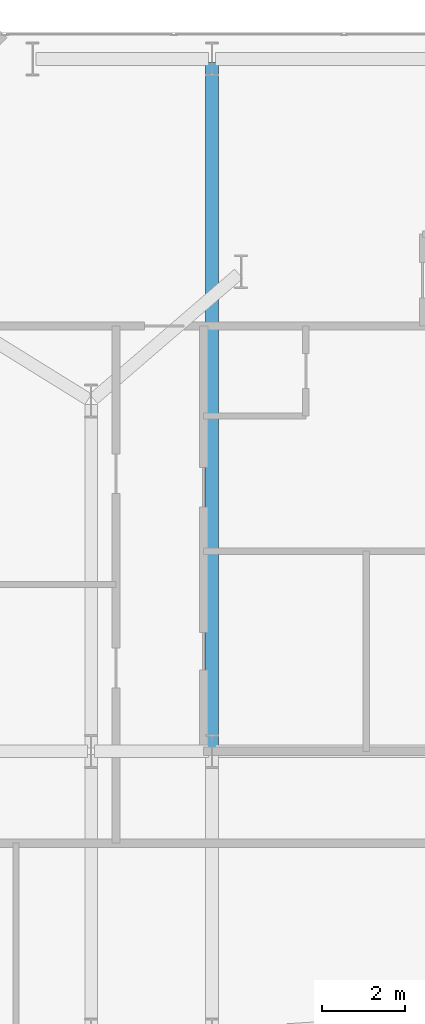
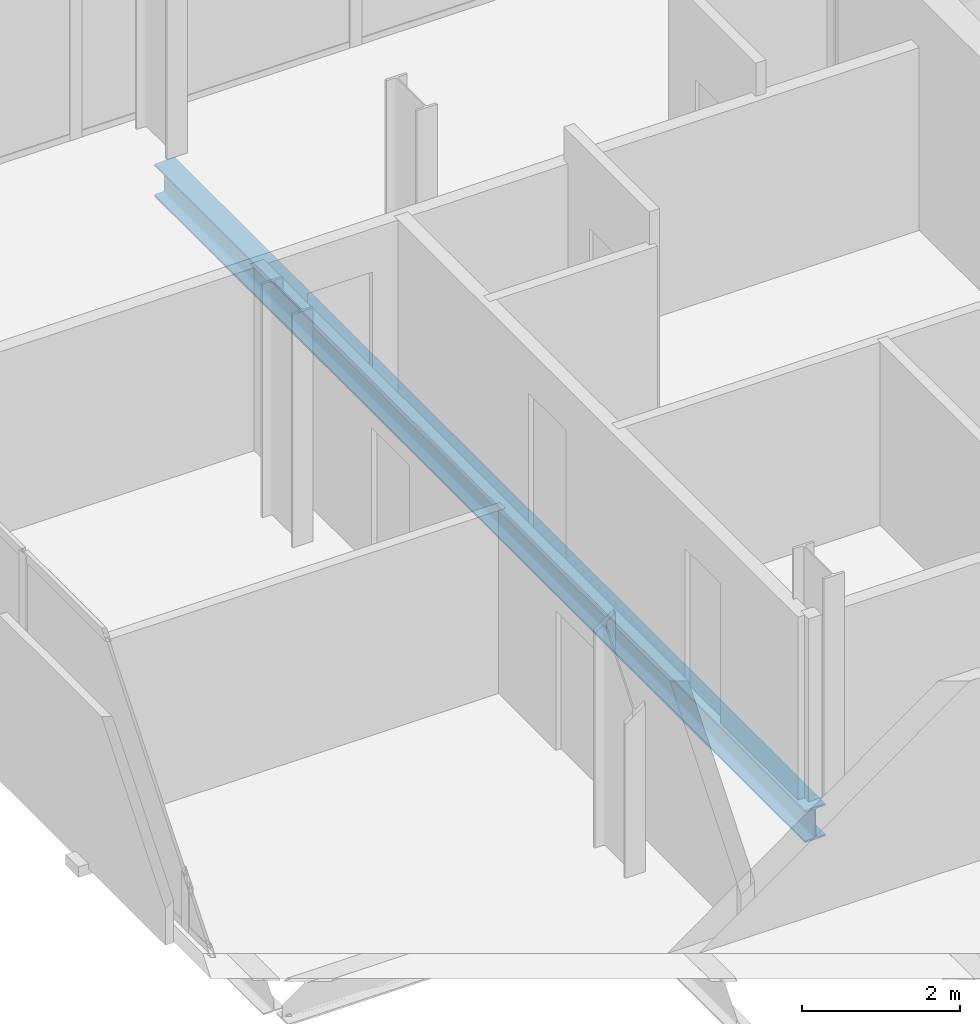
# One storey, part 19 of 33: 1 beam.
"""IFC4 building model written with IfcOpenShell, lengths in metres."""

from ifc_helpers import new_model, si_unit, direction, frame, origin, origin_2d, place, context, subcontext, project, spatial, i_section, extrude, material, material_profile, profile_set, type_object, element, save


model = new_model("IFC4")

# Units and contexts
model_context = context("Model", 3, precision=1e-05, world=origin(), true_north=direction((0.0, 1.0)))
body_context = subcontext(model_context, "Body", "Model", "MODEL_VIEW")
ifc_project = project(units=[si_unit("LENGTHUNIT", "METRE"), si_unit("AREAUNIT", "SQUARE_METRE"), si_unit("VOLUMEUNIT", "CUBIC_METRE"), si_unit("PLANEANGLEUNIT", "RADIAN"), si_unit("MASSUNIT", "GRAM", prefix="KILO")], contexts=[model_context])

# Site, building, storey
site_placement = place(None, origin())
site = spatial("IfcSite", under=ifc_project, at=site_placement, CompositionType="ELEMENT")
building_placement = place(site_placement, origin())
building = spatial("IfcBuilding", under=site, at=building_placement, Name="Catumbela Crestline Tower", CompositionType="ELEMENT")
storey_placement = place(building_placement, frame((0.0, 0.0, 47.4)))
storey = spatial("IfcBuildingStorey", under=building, at=storey_placement, Name="L11", CompositionType="ELEMENT", Elevation=47.4)

# Beam
ifc_material = material(Name="Structural steel S355J2", Category="steel")
ifc_material_profile = material_profile(ifc_material, i_section(OverallWidth=0.3, OverallDepth=0.5, WebThickness=0.0145, FlangeThickness=0.028, FilletRadius=0.027, at=origin_2d()), Name="HEB 500")
ifc_profile_set = profile_set([ifc_material_profile], Name="Structural steel S355J2")
beam_type = type_object("IfcBeamType", Name="BG-HEB500", PredefinedType="BEAM", material=ifc_profile_set)
beam_placement = place(storey_placement, frame((8.5, 30.88, -0.51), z_axis=(0.0, 1.0, 0.0), x_axis=(-1.0, 0.0, 0.0)))
element("IfcBeam", 1, at=beam_placement, inside=storey, type_object=beam_type, Name="L11 Beam BM-L11-SN30", PredefinedType="BEAM", context=body_context, shape_type="SweptSolid", body=[
    extrude(i_section(OverallWidth=0.3, OverallDepth=0.5, WebThickness=0.0145, FlangeThickness=0.028, FilletRadius=0.027, at=origin_2d()), origin(), (0.0, 0.0, 1.0), 16.44),
])

save(model, "model.ifc")
